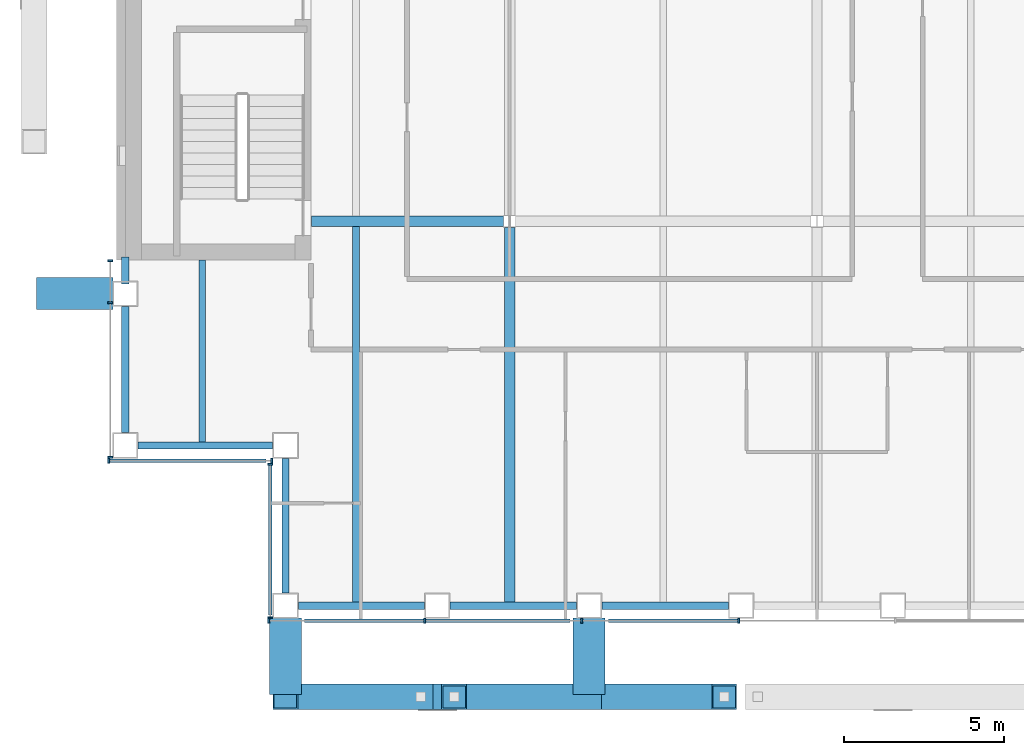
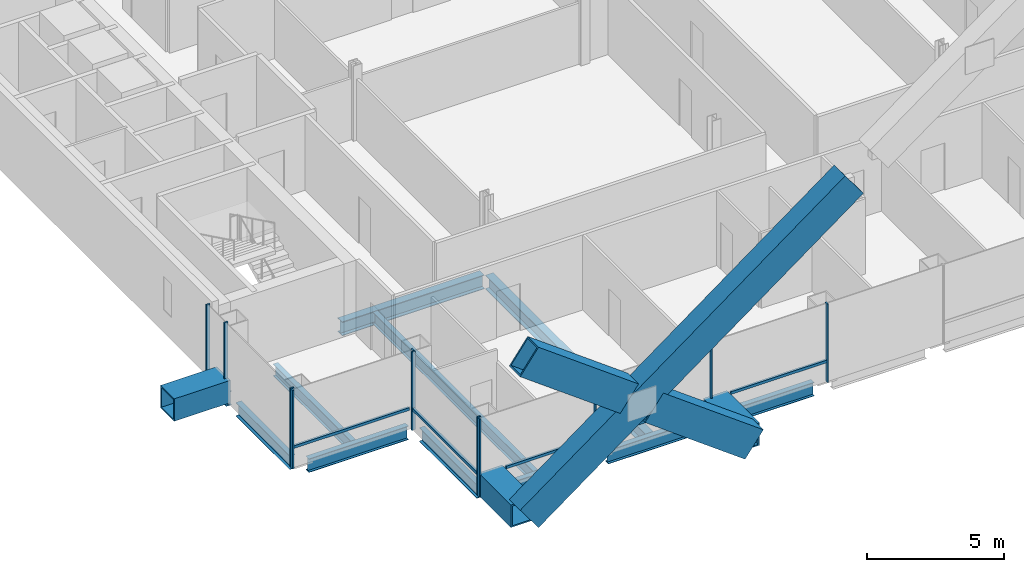
# One storey, part 3 of 18: 19 members, 14 beams, 4 elements without a shape of their own.
"""IFC4 building model written with IfcOpenShell, lengths in metres."""

import ifcopenshell
import ifcopenshell.guid

model = None  # the IFC model being written
_history = None  # IfcOwnerHistory: only IFC2X3 demands one
_inside = {}  # id of a spatial element -> (the spatial element, [elements in it])
_under = {}  # id of a project, library or spatial element -> (it, [spatial elements below it])
_declared = {}  # id of a project -> (the project, [libraries it declares])
_typed = {}  # id of a type object -> (the type object, [elements of that type])
_made_of = {}  # id of a material, layer set ... -> (it, [elements and type objects made of it])


def new_model(schema):
    """Start an empty IFC model of exactly this schema.

    Asked for "IFC4X3", IfcOpenShell would pick the latest addendum, in which some entities
    have other attributes; the version numbers below select the first issue.
    IFC2X3 requires an IfcOwnerHistory on every rooted entity: one is made here for all.
    """
    global model, _history
    if schema == "IFC4X3":
        model = ifcopenshell.file(schema_version=(4, 3, 0, 0))
    else:
        model = ifcopenshell.file(schema=schema)
    _inside.clear()
    _under.clear()
    _declared.clear()
    _typed.clear()
    _made_of.clear()
    _history = None
    if model.schema == "IFC2X3":
        org = make("IfcOrganization", Name="unknown")
        user = make(
            "IfcPersonAndOrganization",
            ThePerson=make("IfcPerson", FamilyName="unknown"),
            TheOrganization=org,
        )
        app = make(
            "IfcApplication",
            ApplicationDeveloper=org,
            Version="unknown",
            ApplicationFullName="unknown",
            ApplicationIdentifier="unknown",
        )
        _history = make(
            "IfcOwnerHistory",
            OwningUser=user,
            OwningApplication=app,
            ChangeAction="ADDED",
            CreationDate=0,
        )
    return model


def make(cls, **values):
    """One entity of the class cls with the attributes given. An attribute that is None is left unset."""
    return model.create_entity(
        cls, **{name: value for name, value in values.items() if value is not None}
    )


def rooted(cls, **values):
    """An entity with a GlobalId (a new one), such as an element, a storey or a relation."""
    return make(cls, GlobalId=ifcopenshell.guid.new(), OwnerHistory=_history, **values)


def si_unit(unit_type, name, prefix=None):
    """IfcSIUnit, for example si_unit("LENGTHUNIT", "METRE", prefix="MILLI")."""
    return make("IfcSIUnit", UnitType=unit_type, Prefix=prefix, Name=name)


def assignment(units):
    """IfcUnitAssignment: the units of a project."""
    return None if units is None else make("IfcUnitAssignment", Units=units)


def point(xyz):
    """IfcCartesianPoint."""
    return None if xyz is None else make("IfcCartesianPoint", Coordinates=xyz)


def direction(xyz):
    """IfcDirection."""
    return None if xyz is None else make("IfcDirection", DirectionRatios=xyz)


def frame(location, z_axis=None, x_axis=None):
    """IfcAxis2Placement3D, a coordinate frame: its origin and axes. An axis left out is left unset."""
    return make(
        "IfcAxis2Placement3D",
        Location=point(location),
        Axis=direction(z_axis),
        RefDirection=direction(x_axis),
    )


def frame_2d(location, x_axis=None):
    """IfcAxis2Placement2D, a coordinate frame in the plane: its origin and x axis."""
    return make(
        "IfcAxis2Placement2D", Location=point(location), RefDirection=direction(x_axis)
    )


def origin():
    """The frame at (0, 0, 0) with its axes left unset."""
    return frame((0.0, 0.0, 0.0))


def origin_2d():
    """The frame at (0, 0) in the plane with its x axis left unset."""
    return frame_2d((0.0, 0.0))


def place(relative_to, where):
    """IfcLocalPlacement: puts the frame where relative to a parent placement (None: the world)."""
    return make(
        "IfcLocalPlacement", PlacementRelTo=relative_to, RelativePlacement=where
    )


def context(
    kind, dimensions, precision=None, world=None, true_north=None, identifier=None
):
    """IfcGeometricRepresentationContext, for example the 3D "Model" context."""
    return make(
        "IfcGeometricRepresentationContext",
        ContextIdentifier=identifier,
        ContextType=kind,
        CoordinateSpaceDimension=dimensions,
        Precision=precision,
        WorldCoordinateSystem=world,
        TrueNorth=true_north,
    )


def subcontext(parent, identifier, kind, view, scale=None):
    """IfcGeometricRepresentationSubContext, for example "Body" below "Model"."""
    return make(
        "IfcGeometricRepresentationSubContext",
        ContextIdentifier=identifier,
        ContextType=kind,
        ParentContext=parent,
        TargetScale=scale,
        TargetView=view,
    )


def project(units=None, contexts=None):
    """IfcProject with its units and contexts."""
    return rooted(
        "IfcProject",
        Name="project",
        RepresentationContexts=contexts,
        UnitsInContext=assignment(units),
    )


def spatial(cls, under=None, at=None, **own):
    """A site, building, storey or space (cls), placed at a placement, below another one or the project."""
    s = rooted(cls, ObjectPlacement=at, **own)
    if under is not None:
        _under.setdefault(under.id(), (under, []))[1].append(s)
    return s


def profile(cls, at=None, kind="AREA", **sizes):
    """A parametric profile (cls). Its sizes go by their IFC names, for example OverallWidth=200.0."""
    return make(cls, ProfileType=kind, Position=at, **sizes)


def rectangle(**sizes):
    """IfcRectangleProfileDef."""
    return profile("IfcRectangleProfileDef", **sizes)


def hollow_rectangle(**sizes):
    """IfcRectangleHollowProfileDef."""
    return profile("IfcRectangleHollowProfileDef", **sizes)


def i_section(**sizes):
    """IfcIShapeProfileDef."""
    return profile("IfcIShapeProfileDef", **sizes)


def extrude(swept, where, along, depth):
    """IfcExtrudedAreaSolid: the profile swept, set in the frame where, extruded along a direction by depth."""
    return make(
        "IfcExtrudedAreaSolid",
        SweptArea=swept,
        Position=where,
        ExtrudedDirection=direction(along),
        Depth=depth,
    )


def shape(context_of_items, identifier, shape_type, items):
    """IfcShapeRepresentation: the items that make up one representation, for example the "Body"."""
    return make(
        "IfcShapeRepresentation",
        ContextOfItems=context_of_items,
        RepresentationIdentifier=identifier,
        RepresentationType=shape_type,
        Items=items,
    )


def material(Name=None, Category=None):
    """IfcMaterial."""
    return make("IfcMaterial", Name=Name, Category=Category)


def material_profile(
    of_material, cross_section, Name=None, Category=None, Priority=None
):
    """IfcMaterialProfile: a cross section and its material."""
    return make(
        "IfcMaterialProfile",
        Name=Name,
        Material=of_material,
        Profile=cross_section,
        Priority=Priority,
        Category=Category,
    )


def profile_set(profiles, Name=None, composite=None):
    """IfcMaterialProfileSet."""
    return make(
        "IfcMaterialProfileSet",
        Name=Name,
        MaterialProfiles=profiles,
        CompositeProfile=composite,
    )


def made_of(thing, what):
    """Note that an element or type object is made of a material, layer set ...; save() writes the relation."""
    if what is not None:
        _made_of.setdefault(what.id(), (what, []))[1].append(thing)
    return thing


def type_object(cls, material=None, **own):
    """A type object (cls), such as IfcWallType, which elements share."""
    return made_of(rooted(cls, **own), material)


def element(
    cls,
    number,
    at=None,
    inside=None,
    cuts=None,
    type_object=None,
    material=None,
    context=None,
    identifier="Body",
    shape_type=None,
    held_by="IfcProductDefinitionShape",
    body=None,
    shapes=None,
    **own,
):
    """One element of the class cls, such as IfcWall. Its Tag is "e" and its number.

    at: its placement. inside: the storey or other place that contains it. cuts: it is an
    opening in that element (IfcRelVoidsElement). A single representation is given by context,
    identifier, shape_type and body (its items); several are given by shapes. held_by: the class
    of the entity that holds the representations. save() writes the other relations.
    """
    e = rooted(cls, Tag="e%d" % number, ObjectPlacement=at, **own)
    if body is not None:
        shapes = [shape(context, identifier, shape_type, body)]
    if shapes is not None:
        e.Representation = make(held_by, Representations=shapes)
    if inside is not None:
        _inside.setdefault(inside.id(), (inside, []))[1].append(e)
    if cuts is not None:
        rooted(
            "IfcRelVoidsElement", RelatingBuildingElement=cuts, RelatedOpeningElement=e
        )
    if type_object is not None:
        _typed.setdefault(type_object.id(), (type_object, []))[1].append(e)
    return made_of(e, material)


def aggregate(whole, parts):
    """IfcRelAggregates: a whole, such as a stair, and the parts it consists of."""
    return rooted("IfcRelAggregates", RelatingObject=whole, RelatedObjects=parts)


def save(model, path):
    """Write the relations noted so far, then the file.

    IfcRelAggregates (storeys below a building ...), IfcRelContainedInSpatialStructure (elements
    in a storey), IfcRelDefinesByType, IfcRelAssociatesMaterial and IfcRelDeclares: one each for
    every whole, place, type object, material and project.
    """
    for whole, parts in _under.values():
        aggregate(whole, parts)
    for where, things in _inside.values():
        rooted(
            "IfcRelContainedInSpatialStructure",
            RelatedElements=things,
            RelatingStructure=where,
        )
    for kind, things in _typed.values():
        rooted("IfcRelDefinesByType", RelatedObjects=things, RelatingType=kind)
    for what, things in _made_of.values():
        rooted("IfcRelAssociatesMaterial", RelatedObjects=things, RelatingMaterial=what)
    for by, libraries in _declared.values():
        rooted("IfcRelDeclares", RelatingContext=by, RelatedDefinitions=libraries)
    model.write(path)


model = new_model("IFC4")

# Units and contexts
model_context = context("Model", 3, precision=1e-05, world=origin(), true_north=direction((0.0, 1.0)))
body_context = subcontext(model_context, "Body", "Model", "MODEL_VIEW")
ifc_project = project(units=[si_unit("LENGTHUNIT", "METRE"), si_unit("AREAUNIT", "SQUARE_METRE"), si_unit("VOLUMEUNIT", "CUBIC_METRE"), si_unit("PLANEANGLEUNIT", "RADIAN"), si_unit("MASSUNIT", "GRAM", prefix="KILO")], contexts=[model_context])

# Site, building, storey
site_placement = place(None, origin())
site = spatial("IfcSite", under=ifc_project, at=site_placement, CompositionType="ELEMENT")
building_placement = place(site_placement, origin())
building = spatial("IfcBuilding", under=site, at=building_placement, Name="Cobrizo Arcos Hotel Tower", CompositionType="ELEMENT")
storey_placement = place(building_placement, frame((0.0, 0.0, 165.5)))
storey = spatial("IfcBuildingStorey", under=building, at=storey_placement, Name="L42", CompositionType="ELEMENT", Elevation=165.5)

# Beams
ifc_material_1 = material(Name="Steel ASTM A572 Grade 50", Category="steel")
ifc_material_profile_1 = material_profile(ifc_material_1, hollow_rectangle(XDim=1.0, YDim=1.0, WallThickness=0.06005859375, at=origin_2d()), Name="BOX 1000X1000X60")
ifc_profile_set_1 = profile_set([ifc_material_profile_1], Name="Steel ASTM A572 Grade 50")
beam_type_1 = type_object("IfcBeamType", Name="BOX 1000X1000X60 brace connector strut", PredefinedType="BEAM", material=ifc_profile_set_1)
for number, where, z_axis, x_axis, name in (
    (1, (-16.60009765625, -21.989990234375, 0.5), (0.0, -1.0, 0.0), (1.0, 0.0, 0.0), "Perimeter brace stub BS1, zone Z3, south face, offset -16.60 m, L42"),
    (2, (-7.1142578125, -21.989990234375, 0.5), (0.0, -1.0, 0.0), (1.0, 0.0, 0.0), "Perimeter brace stub BS1, zone Z3, south face, offset -7.11 m, L42"),
    (3, (-21.989990234375, -11.857177734375, 0.5), (-1.0, 0.0, 0.0), (0.0, -1.0, 0.0), "Perimeter brace stub BS1, zone Z3, west face, offset -11.86 m, L42"),
):
    element("IfcBeam", number, at=place(storey_placement, frame(where, z_axis=z_axis, x_axis=x_axis)), inside=storey, type_object=beam_type_1, Name=name, PredefinedType="BEAM", context=body_context, shape_type="SweptSolid", body=[
        extrude(hollow_rectangle(XDim=1.0, YDim=1.0, WallThickness=0.06005859375, at=origin_2d()), origin(), (0.0, 0.0, 1.0), 2.380126953125),
    ])

# Members
ifc_material_profile_2 = material_profile(ifc_material_1, hollow_rectangle(XDim=0.800048828125, YDim=1.300048828125, WallThickness=0.06005859375, at=origin_2d()), Name="BOX 800X1300X60")
ifc_profile_set_2 = profile_set([ifc_material_profile_2], Name="Steel ASTM A572 Grade 50")
member_type_1 = type_object("IfcMemberType", Name="BOX 800X1300X60 perimeter brace", PredefinedType="BRACE", material=ifc_profile_set_2)
member_1_placement = place(storey_placement, frame((-16.60009765625, -24.449951171875, 0.5), z_axis=(0.804630166974, 0.0, 0.593776299961), x_axis=(0.0, 1.0, 0.0)))
element("IfcMember", 4, at=member_1_placement, inside=storey, type_object=member_type_1, Name="Perimeter brace PBR3, zone Z3, south face, no. 10", PredefinedType="BRACE", context=body_context, shape_type="SweptSolid", body=[
    extrude(hollow_rectangle(XDim=0.800048828125, YDim=1.300048828125, WallThickness=0.06005859375, at=origin_2d()), origin(), (0.0, 0.0, 1.0), 17.033447265625),
])
for number, where, z_axis, x_axis, name in (
    (5, (-7.1142578125, -24.449951171875, 0.5), (-0.804623858684, 0.0, 0.593784848271), (0.0, -1.0, 0.0), "Perimeter brace PBR3, zone Z3, south face, no. 11"),
    (6, (-12.38037109375, -24.449951171875, 4.385986328125), (-0.804623858684, 0.0, 0.593784848271), (0.0, -1.0, 0.0), "Perimeter brace PBR3, zone Z3, south face, no. 11b"),
):
    element("IfcMember", number, at=place(storey_placement, frame(where, z_axis=z_axis, x_axis=x_axis)), inside=storey, type_object=member_type_1, Name=name, PredefinedType="BRACE", context=body_context, shape_type="SweptSolid", body=[
        extrude(hollow_rectangle(XDim=0.800048828125, YDim=1.300048828125, WallThickness=0.06005859375, at=origin_2d()), origin(), (0.0, 0.0, 1.0), 5.244384765625),
    ])

# Curtain wall, members
ifc_material_2 = material(Name="Aluminium 6063-T6 anodised bronze", Category="aluminium")
curtain_wall_type = type_object("IfcCurtainWallType", Name="CW-A guest facade", PredefinedType="NOTDEFINED", material=ifc_material_2)
curtain_wall_1_placement = place(storey_placement, origin())
curtain_wall_1 = element("IfcCurtainWall", 7, at=curtain_wall_1_placement, inside=storey, type_object=curtain_wall_type, Name="CW-A L42 S face", PredefinedType="NOTDEFINED")
ifc_material_profile_3 = material_profile(ifc_material_2, rectangle(XDim=0.14990234375, YDim=0.06005859375, at=origin_2d()), Name="CW-A mullion 150x60")
ifc_profile_set_3 = profile_set([ifc_material_profile_3], Name="Aluminium 6063-T6 anodised bronze")
member_type_2 = type_object("IfcMemberType", Name="CW-A mullion 150x60", PredefinedType="MULLION", material=ifc_profile_set_3)
member_2_placement = place(storey_placement, frame((-17.1201171875, -22.074951171875, 0.0), z_axis=(0.0, 0.0, 1.0), x_axis=(0.0, -1.0, 0.0)))
member_2 = element("IfcMember", 8, at=member_2_placement, type_object=member_type_2, Name="CW-A mullion 1", PredefinedType="MULLION", context=body_context, shape_type="SweptSolid", body=[
    extrude(rectangle(XDim=0.14990234375, YDim=0.06005859375, at=origin_2d()), origin(), (0.0, 0.0, 1.0), 3.5),
])
member_3_placement = place(storey_placement, frame((-12.25, -22.074951171875, 0.0), z_axis=(0.0, 0.0, 1.0), x_axis=(0.0, -1.0, 0.0)))
member_3 = element("IfcMember", 9, at=member_3_placement, type_object=member_type_2, Name="CW-A mullion 2", PredefinedType="MULLION", context=body_context, shape_type="SweptSolid", body=[
    extrude(rectangle(XDim=0.14990234375, YDim=0.06005859375, at=origin_2d()), origin(), (0.0, 0.0, 1.0), 3.5),
])
member_4_placement = place(storey_placement, frame((-7.35009765625, -22.074951171875, 0.0), z_axis=(0.0, 0.0, 1.0), x_axis=(0.0, -1.0, 0.0)))
member_4 = element("IfcMember", 10, at=member_4_placement, type_object=member_type_2, Name="CW-A mullion 3", PredefinedType="MULLION", context=body_context, shape_type="SweptSolid", body=[
    extrude(rectangle(XDim=0.14990234375, YDim=0.06005859375, at=origin_2d()), origin(), (0.0, 0.0, 1.0), 3.5),
])
member_5_placement = place(storey_placement, frame((-2.449951171875, -22.074951171875, 0.0), z_axis=(0.0, 0.0, 1.0), x_axis=(0.0, -1.0, 0.0)))
member_5 = element("IfcMember", 11, at=member_5_placement, type_object=member_type_2, Name="CW-A mullion 4", PredefinedType="MULLION", context=body_context, shape_type="SweptSolid", body=[
    extrude(rectangle(XDim=0.14990234375, YDim=0.06005859375, at=origin_2d()), origin(), (0.0, 0.0, 1.0), 3.5),
])

curtain_wall_2_placement = place(storey_placement, origin())
curtain_wall_2 = element("IfcCurtainWall", 12, at=curtain_wall_2_placement, inside=storey, type_object=curtain_wall_type, Name="CW-A L42 W face", PredefinedType="NOTDEFINED")
member_6_placement = place(storey_placement, frame((-22.074951171875, -10.830078125, 0.0), z_axis=(0.0, 0.0, 1.0), x_axis=(-1.0, 0.0, 0.0)))
member_6 = element("IfcMember", 13, at=member_6_placement, type_object=member_type_2, Name="CW-A mullion 1", PredefinedType="MULLION", context=body_context, shape_type="SweptSolid", body=[
    extrude(rectangle(XDim=0.14990234375, YDim=0.06005859375, at=origin_2d()), origin(), (0.0, 0.0, 1.0), 3.5),
])
member_7_placement = place(storey_placement, frame((-22.074951171875, -12.142822265625, 0.0), z_axis=(0.0, 0.0, 1.0), x_axis=(-1.0, 0.0, 0.0)))
member_7 = element("IfcMember", 14, at=member_7_placement, type_object=member_type_2, Name="CW-A mullion 2", PredefinedType="MULLION", context=body_context, shape_type="SweptSolid", body=[
    extrude(rectangle(XDim=0.14990234375, YDim=0.06005859375, at=origin_2d()), origin(), (0.0, 0.0, 1.0), 3.5),
])
member_8_placement = place(storey_placement, frame((-22.074951171875, -16.969970703125, 0.0), z_axis=(0.0, 0.0, 1.0), x_axis=(-1.0, 0.0, 0.0)))
member_8 = element("IfcMember", 15, at=member_8_placement, type_object=member_type_2, Name="CW-A mullion 3", PredefinedType="MULLION", context=body_context, shape_type="SweptSolid", body=[
    extrude(rectangle(XDim=0.14990234375, YDim=0.06005859375, at=origin_2d()), origin(), (0.0, 0.0, 1.0), 3.5),
])
aggregate(curtain_wall_2, [member_6, member_7, member_8])

curtain_wall_3_placement = place(storey_placement, origin())
curtain_wall_3 = element("IfcCurtainWall", 16, at=curtain_wall_3_placement, inside=storey, type_object=curtain_wall_type, Name="CW-A L42 S face", PredefinedType="NOTDEFINED")
member_9_placement = place(storey_placement, frame((-22.1201171875, -17.074951171875, 0.0), z_axis=(0.0, 0.0, 1.0), x_axis=(0.0, -1.0, 0.0)))
member_9 = element("IfcMember", 17, at=member_9_placement, type_object=member_type_2, Name="CW-A mullion 1", PredefinedType="MULLION", context=body_context, shape_type="SweptSolid", body=[
    extrude(rectangle(XDim=0.14990234375, YDim=0.06005859375, at=origin_2d()), origin(), (0.0, 0.0, 1.0), 3.5),
])
member_10_placement = place(storey_placement, frame((-17.030029296875, -17.074951171875, 0.0), z_axis=(0.0, 0.0, 1.0), x_axis=(0.0, -1.0, 0.0)))
member_10 = element("IfcMember", 18, at=member_10_placement, type_object=member_type_2, Name="CW-A mullion 2", PredefinedType="MULLION", context=body_context, shape_type="SweptSolid", body=[
    extrude(rectangle(XDim=0.14990234375, YDim=0.06005859375, at=origin_2d()), origin(), (0.0, 0.0, 1.0), 3.5),
])

curtain_wall_4_placement = place(storey_placement, origin())
curtain_wall_4 = element("IfcCurtainWall", 19, at=curtain_wall_4_placement, inside=storey, type_object=curtain_wall_type, Name="CW-A L42 W face", PredefinedType="NOTDEFINED")
member_11_placement = place(storey_placement, frame((-17.074951171875, -17.179931640625, 0.0), z_axis=(0.0, 0.0, 1.0), x_axis=(-1.0, 0.0, 0.0)))
member_11 = element("IfcMember", 20, at=member_11_placement, type_object=member_type_2, Name="CW-A mullion 1", PredefinedType="MULLION", context=body_context, shape_type="SweptSolid", body=[
    extrude(rectangle(XDim=0.14990234375, YDim=0.06005859375, at=origin_2d()), origin(), (0.0, 0.0, 1.0), 3.5),
])
member_12_placement = place(storey_placement, frame((-17.074951171875, -21.969970703125, 0.0), z_axis=(0.0, 0.0, 1.0), x_axis=(-1.0, 0.0, 0.0)))
member_12 = element("IfcMember", 21, at=member_12_placement, type_object=member_type_2, Name="CW-A mullion 2", PredefinedType="MULLION", context=body_context, shape_type="SweptSolid", body=[
    extrude(rectangle(XDim=0.14990234375, YDim=0.06005859375, at=origin_2d()), origin(), (0.0, 0.0, 1.0), 3.5),
])

# Member
ifc_material_profile_4 = material_profile(ifc_material_2, rectangle(XDim=0.10009765625, YDim=0.1201171875, at=origin_2d()), Name="CW-A transom 120x100")
ifc_profile_set_4 = profile_set([ifc_material_profile_4], Name="Aluminium 6063-T6 anodised bronze")
member_type_3 = type_object("IfcMemberType", Name="CW-A transom 120x100", PredefinedType="USERDEFINED", material=ifc_profile_set_4)
member_13_placement = place(storey_placement, frame((-16.0, -22.074951171875, 0.929931640625), z_axis=(1.0, 0.0, 0.0), x_axis=(0.0, 1.0, 0.0)))
member_13 = element("IfcMember", 22, at=member_13_placement, type_object=member_type_3, Name="CW-A transom 1486", ObjectType="TRANSOM", PredefinedType="USERDEFINED", context=body_context, shape_type="SweptSolid", body=[
    extrude(rectangle(XDim=0.10009765625, YDim=0.1201171875, at=origin_2d()), origin(), (0.0, 0.0, 1.0), 3.719970703125),
])

member_14_placement = place(storey_placement, frame((-12.219970703125, -22.074951171875, 0.929931640625), z_axis=(1.0, 0.0, 0.0), x_axis=(0.0, 1.0, 0.0)))
member_14 = element("IfcMember", 23, at=member_14_placement, type_object=member_type_3, Name="CW-A transom 1487", ObjectType="TRANSOM", PredefinedType="USERDEFINED", context=body_context, shape_type="SweptSolid", body=[
    extrude(rectangle(XDim=0.10009765625, YDim=0.1201171875, at=origin_2d()), origin(), (0.0, 0.0, 1.0), 4.505615234375),
])

member_15_placement = place(storey_placement, frame((-6.514404296875, -22.074951171875, 0.929931640625), z_axis=(1.0, 0.0, 0.0), x_axis=(0.0, 1.0, 0.0)))
member_15 = element("IfcMember", 24, at=member_15_placement, type_object=member_type_3, Name="CW-A transom 1488", ObjectType="TRANSOM", PredefinedType="USERDEFINED", context=body_context, shape_type="SweptSolid", body=[
    extrude(rectangle(XDim=0.10009765625, YDim=0.1201171875, at=origin_2d()), origin(), (0.0, 0.0, 1.0), 4.034423828125),
])

aggregate(curtain_wall_1, [member_2, member_3, member_4, member_5, member_13, member_14, member_15])

member_16_placement = place(storey_placement, frame((-22.090087890625, -17.074951171875, 0.929931640625), z_axis=(1.0, 0.0, 0.0), x_axis=(0.0, 1.0, 0.0)))
member_16 = element("IfcMember", 25, at=member_16_placement, type_object=member_type_3, Name="CW-A transom 1514", ObjectType="TRANSOM", PredefinedType="USERDEFINED", context=body_context, shape_type="SweptSolid", body=[
    extrude(rectangle(XDim=0.10009765625, YDim=0.1201171875, at=origin_2d()), origin(), (0.0, 0.0, 1.0), 4.89013671875),
])

aggregate(curtain_wall_3, [member_9, member_10, member_16])

member_17_placement = place(storey_placement, frame((-17.074951171875, -17.2099609375, 0.929931640625), z_axis=(0.0, -1.0, 0.0), x_axis=(1.0, 0.0, 0.0)))
member_17 = element("IfcMember", 26, at=member_17_placement, type_object=member_type_3, Name="CW-A transom 1515", ObjectType="TRANSOM", PredefinedType="USERDEFINED", context=body_context, shape_type="SweptSolid", body=[
    extrude(rectangle(XDim=0.10009765625, YDim=0.1201171875, at=origin_2d()), origin(), (0.0, 0.0, 1.0), 4.679931640625),
])

aggregate(curtain_wall_4, [member_11, member_12, member_17])

# Beams
ifc_material_3 = material(Name="Steel ASTM A992 Grade 50", Category="steel")
ifc_material_profile_5 = material_profile(ifc_material_3, i_section(OverallWidth=0.209228515625, OverallDepth=0.533447265625, WebThickness=0.01025390625, FlangeThickness=0.015625, at=origin_2d()), Name="W21X62")
ifc_profile_set_5 = profile_set([ifc_material_profile_5], Name="Steel ASTM A992 Grade 50")
beam_type_2 = type_object("IfcBeamType", Name="W21X62 joist", PredefinedType="JOIST", material=ifc_profile_set_5)
beam_1_placement = place(storey_placement, frame((-19.199951171875, -16.510009765625, -0.416748046875), z_axis=(0.0, 1.0, 0.0), x_axis=(-1.0, 0.0, 0.0)))
element("IfcBeam", 27, at=beam_1_placement, inside=storey, type_object=beam_type_2, Name="Floor joist J1, L42, no. 001", PredefinedType="JOIST", context=body_context, shape_type="SweptSolid", body=[
    extrude(i_section(OverallWidth=0.209228515625, OverallDepth=0.533447265625, WebThickness=0.01025390625, FlangeThickness=0.015625, at=origin_2d()), origin(), (0.0, 0.0, 1.0), 5.699951171875),
])
beam_2_placement = place(storey_placement, frame((-14.39990234375, -21.510009765625, -0.416748046875), z_axis=(0.0, 1.0, 0.0), x_axis=(-1.0, 0.0, 0.0)))
element("IfcBeam", 28, at=beam_2_placement, inside=storey, type_object=beam_type_2, Name="Floor joist J1, L42, no. 003", PredefinedType="JOIST", context=body_context, shape_type="SweptSolid", body=[
    extrude(i_section(OverallWidth=0.209228515625, OverallDepth=0.533447265625, WebThickness=0.01025390625, FlangeThickness=0.015625, at=origin_2d()), origin(), (0.0, 0.0, 1.0), 11.74609375),
])
ifc_material_profile_6 = material_profile(ifc_material_3, i_section(OverallWidth=0.32763671875, OverallDepth=0.622314453125, WebThickness=0.015380859375, FlangeThickness=0.0244140625, at=origin_2d()), Name="W24X131")
ifc_profile_set_6 = profile_set([ifc_material_profile_6], Name="Steel ASTM A992 Grade 50")
beam_type_3 = type_object("IfcBeamType", Name="W24X131 girder", PredefinedType="BEAM", material=ifc_profile_set_6)
beam_3_placement = place(storey_placement, frame((-15.7900390625, -9.60009765625, -0.461181640625), z_axis=(1.0, 0.0, 0.0), x_axis=(0.0, 1.0, 0.0)))
element("IfcBeam", 29, at=beam_3_placement, inside=storey, type_object=beam_type_3, Name="Floor girder G1, L42, no. 001", PredefinedType="BEAM", context=body_context, shape_type="SweptSolid", body=[
    extrude(i_section(OverallWidth=0.32763671875, OverallDepth=0.622314453125, WebThickness=0.015380859375, FlangeThickness=0.0244140625, at=origin_2d()), origin(), (0.0, 0.0, 1.0), 6.00341796875),
])
beam_4_placement = place(storey_placement, frame((-9.60009765625, -21.510009765625, -0.461181640625), z_axis=(0.0, 1.0, 0.0), x_axis=(-1.0, 0.0, 0.0)))
element("IfcBeam", 30, at=beam_4_placement, inside=storey, type_object=beam_type_3, Name="Floor girder G1, L42, no. 013", PredefinedType="BEAM", context=body_context, shape_type="SweptSolid", body=[
    extrude(i_section(OverallWidth=0.32763671875, OverallDepth=0.622314453125, WebThickness=0.015380859375, FlangeThickness=0.0244140625, at=origin_2d()), origin(), (0.0, 0.0, 1.0), 11.723388671875),
])
ifc_material_profile_7 = material_profile(ifc_material_3, i_section(OverallWidth=0.228271484375, OverallDepth=0.607177734375, WebThickness=0.01123046875, FlangeThickness=0.017333984375, at=origin_2d()), Name="W24X76")
ifc_profile_set_7 = profile_set([ifc_material_profile_7], Name="Steel ASTM A992 Grade 50")
beam_type_4 = type_object("IfcBeamType", Name="W24X76 spandrel", PredefinedType="SPANDREL", material=ifc_profile_set_7)
beam_5_placement = place(storey_placement, frame((-16.199951171875, -21.60009765625, -0.45361328125), z_axis=(1.0, 0.0, 0.0), x_axis=(0.0, 1.0, 0.0)))
element("IfcBeam", 31, at=beam_5_placement, inside=storey, type_object=beam_type_4, Name="Spandrel beam W24X76, L42, no. 001", PredefinedType="SPANDREL", context=body_context, shape_type="SweptSolid", body=[
    extrude(i_section(OverallWidth=0.228271484375, OverallDepth=0.607177734375, WebThickness=0.01123046875, FlangeThickness=0.017333984375, at=origin_2d()), origin(), (0.0, 0.0, 1.0), 3.94287109375),
])
for number, where, z_axis, x_axis, name in (
    (32, (-11.45703125, -21.60009765625, -0.45361328125), (1.0, 0.0, 0.0), (0.0, 1.0, 0.0), "Spandrel beam W24X76, L42, no. 002"),
    (33, (-6.714111328125, -21.60009765625, -0.45361328125), (1.0, 0.0, 0.0), (0.0, 1.0, 0.0), "Spandrel beam W24X76, L42, no. 003"),
):
    element("IfcBeam", number, at=place(storey_placement, frame(where, z_axis=z_axis, x_axis=x_axis)), inside=storey, type_object=beam_type_4, Name=name, PredefinedType="SPANDREL", context=body_context, shape_type="SweptSolid", body=[
        extrude(i_section(OverallWidth=0.228271484375, OverallDepth=0.607177734375, WebThickness=0.01123046875, FlangeThickness=0.017333984375, at=origin_2d()), origin(), (0.0, 0.0, 1.0), 3.943115234375),
    ])
beam_6_placement = place(storey_placement, frame((-21.60009765625, -10.7099609375, -0.45361328125), z_axis=(0.0, -1.0, 0.0), x_axis=(1.0, 0.0, 0.0)))
element("IfcBeam", 34, at=beam_6_placement, inside=storey, type_object=beam_type_4, Name="Spandrel beam W24X76, L42, no. 027", PredefinedType="SPANDREL", context=body_context, shape_type="SweptSolid", body=[
    extrude(i_section(OverallWidth=0.228271484375, OverallDepth=0.607177734375, WebThickness=0.01123046875, FlangeThickness=0.017333984375, at=origin_2d()), origin(), (0.0, 0.0, 1.0), 0.846923828125),
])
beam_7_placement = place(storey_placement, frame((-21.60009765625, -12.257080078125, -0.45361328125), z_axis=(0.0, -1.0, 0.0), x_axis=(1.0, 0.0, 0.0)))
element("IfcBeam", 35, at=beam_7_placement, inside=storey, type_object=beam_type_4, Name="Spandrel beam W24X76, L42, no. 028", PredefinedType="SPANDREL", context=body_context, shape_type="SweptSolid", body=[
    extrude(i_section(OverallWidth=0.228271484375, OverallDepth=0.607177734375, WebThickness=0.01123046875, FlangeThickness=0.017333984375, at=origin_2d()), origin(), (0.0, 0.0, 1.0), 3.94287109375),
])
for number, where, z_axis, x_axis, name in (
    (36, (-21.199951171875, -16.60009765625, -0.45361328125), (1.0, 0.0, 0.0), (0.0, 1.0, 0.0), "Spandrel beam W24X76, L42, no. 029"),
    (37, (-16.60009765625, -17.0, -0.45361328125), (0.0, -1.0, 0.0), (1.0, 0.0, 0.0), "Spandrel beam W24X76, L42, no. 030"),
):
    element("IfcBeam", number, at=place(storey_placement, frame(where, z_axis=z_axis, x_axis=x_axis)), inside=storey, type_object=beam_type_4, Name=name, PredefinedType="SPANDREL", context=body_context, shape_type="SweptSolid", body=[
        extrude(i_section(OverallWidth=0.228271484375, OverallDepth=0.607177734375, WebThickness=0.01123046875, FlangeThickness=0.017333984375, at=origin_2d()), origin(), (0.0, 0.0, 1.0), 4.199951171875),
    ])

save(model, "model.ifc")
